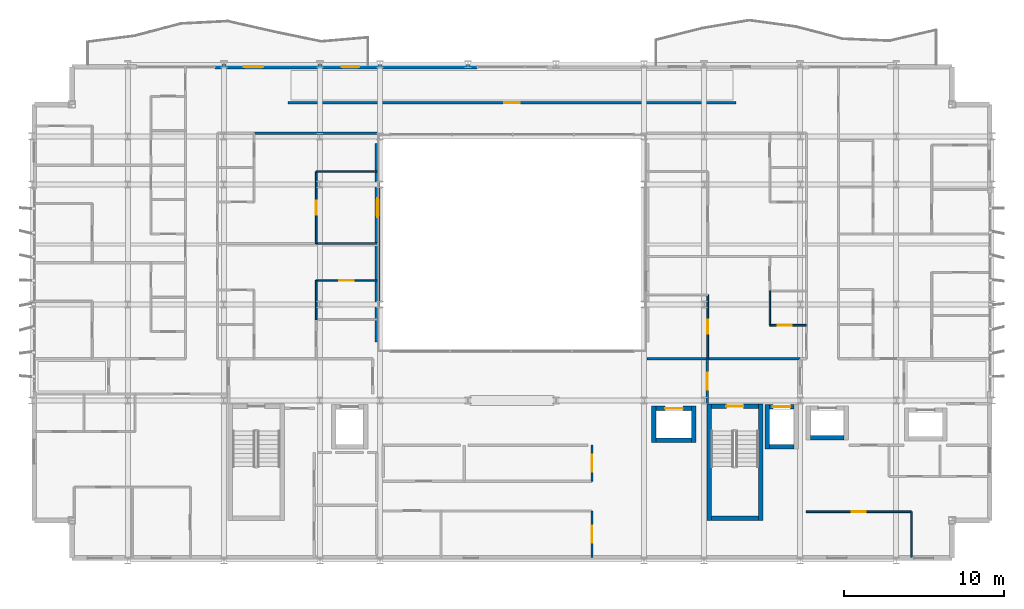
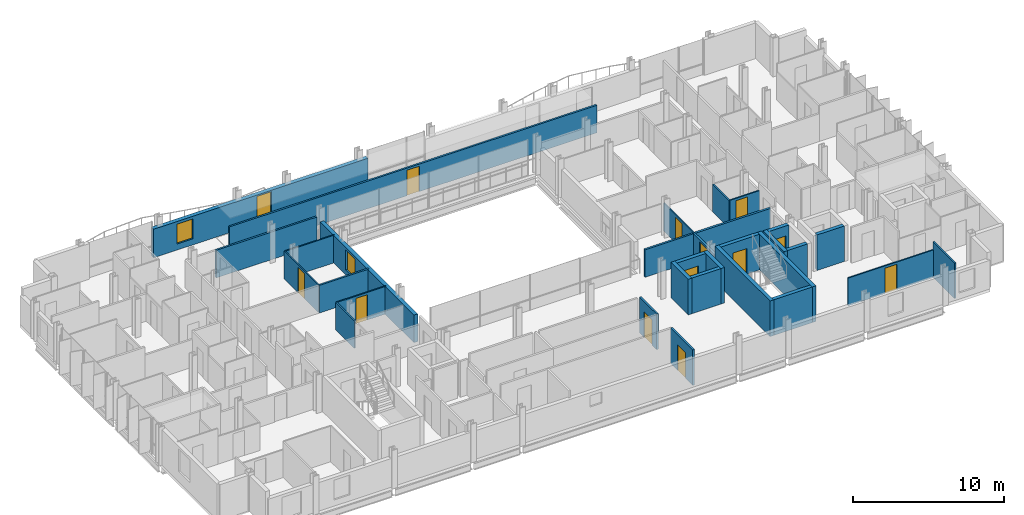
# One storey, part 30 of 39: 31 walls, 13 doors, 2 windows, 15 openings.
"""IFC4 building model written with IfcOpenShell, lengths in metres."""

from ifc_helpers import new_model, si_unit, direction, frame, frame_2d, origin, place, context, subcontext, project, spatial, rectangle, extrude, material, layer, layer_set, type_object, element, fill, save


model = new_model("IFC4")

# Units and contexts
model_context = context("Model", 3, precision=1e-05, world=origin(), true_north=direction((0.0, 1.0)))
body_context = subcontext(model_context, "Body", "Model", "MODEL_VIEW")
ifc_project = project(units=[si_unit("LENGTHUNIT", "METRE"), si_unit("AREAUNIT", "SQUARE_METRE"), si_unit("VOLUMEUNIT", "CUBIC_METRE"), si_unit("PLANEANGLEUNIT", "RADIAN"), si_unit("MASSUNIT", "GRAM", prefix="KILO")], contexts=[model_context])

# Site, building, storey
site_placement = place(None, origin())
site = spatial("IfcSite", under=ifc_project, at=site_placement, CompositionType="ELEMENT")
building_placement = place(site_placement, origin())
building = spatial("IfcBuilding", under=site, at=building_placement, Name="Brevholm Reach", CompositionType="ELEMENT")
storey_placement = place(building_placement, frame((0.0, 0.0, 90.0)))
storey = spatial("IfcBuildingStorey", under=building, at=storey_placement, Name="L26", CompositionType="ELEMENT", Elevation=90.0)

# Walls
ifc_material_1 = material(Name="Concrete C50/60", Category="concrete")
ifc_layer_1 = layer(ifc_material_1, 0.280029296875)
ifc_layer_set_1 = layer_set([ifc_layer_1], Name="Concrete C50/60")
wall_type_1 = type_object("IfcWallType", Name="WAL-COR-280", PredefinedType="SHEAR", material=ifc_layer_set_1)
for number, where, z_axis, x_axis, name in (
    (1, (42.31005859375, 2.5, 0.0), (0.0, 0.0, 1.0), (0.0, 1.0, 0.0), "L26 Escape Stair ST-2 Core Wall W"),
    (2, (45.5400390625, 2.5, 0.0), (0.0, 0.0, 1.0), (0.0, 1.0, 0.0), "L26 Escape Stair ST-2 Core Wall E"),
):
    element("IfcWall", number, at=place(storey_placement, frame(where, z_axis=z_axis, x_axis=x_axis)), inside=storey, type_object=wall_type_1, Name=name, PredefinedType="SHEAR", context=body_context, shape_type="SweptSolid", body=[
        extrude(rectangle(XDim=7.280029296875, YDim=0.280029296875, at=frame_2d((3.64013671875, 0.0))), origin(), (0.0, 0.0, 1.0), 2.8701171875),
    ])
wall_1_placement = place(storey_placement, frame((42.449951171875, 2.639892578125, 0.0), z_axis=(0.0, 0.0, 1.0), x_axis=(1.0, 0.0, 0.0)))
element("IfcWall", 3, at=wall_1_placement, inside=storey, type_object=wall_type_1, Name="L26 Escape Stair ST-2 Core Wall S", PredefinedType="SHEAR", context=body_context, shape_type="SweptSolid", body=[
    extrude(rectangle(XDim=2.949951171875, YDim=0.280029296875, at=frame_2d((1.47509765625, 0.0))), origin(), (0.0, 0.0, 1.0), 2.8701171875),
])

# Wall, opening, door
wall_2_placement = place(storey_placement, frame((45.39990234375, 9.639892578125, 0.0), z_axis=(0.0, 0.0, 1.0), x_axis=(-1.0, 0.0, 0.0)))
wall_2 = element("IfcWall", 4, at=wall_2_placement, inside=storey, type_object=wall_type_1, Name="L26 Escape Stair ST-2 Core Wall N", PredefinedType="SHEAR", context=body_context, shape_type="SweptSolid", body=[
    extrude(rectangle(XDim=2.949951171875, YDim=0.280029296875, at=frame_2d((1.47509765625, 0.0))), origin(), (0.0, 0.0, 1.0), 2.8701171875),
])
opening_1_placement = place(wall_2_placement, frame((0.949951171875, 0.0, 0.0)))
opening_1 = element("IfcOpeningElement", 5, at=opening_1_placement, cuts=wall_2, Name="Opening SD-ST-2", PredefinedType="OPENING", context=body_context, shape_type="SweptSolid", body=[
    extrude(rectangle(XDim=1.050048828125, YDim=2.06005859375, at=frame_2d((0.52490234375, 1.030029296875))), frame((0.0, 0.14990234375, 0.0), z_axis=(0.0, -1.0, 0.0), x_axis=(1.0, 0.0, 0.0)), (0.0, 0.0, 1.0), 0.300048828125),
])
ifc_material_2 = material(Name="Hardwood-Lipped Steel-Core Fire and Smoke Door", Category="steel")
door_type_1 = type_object("IfcDoorType", Name="DOR-INT-FD60S", OperationType="NOTDEFINED", PredefinedType="DOOR", material=ifc_material_2)
door_1_placement = place(opening_1_placement, origin())
door_1 = element("IfcDoor", 6, at=door_1_placement, inside=storey, type_object=door_type_1, Name="L26 Protected Stair ST-2 Lobby Door", OperationType="SINGLE_SWING_LEFT", OverallHeight=2.06005859375, OverallWidth=1.050048828125, PredefinedType="DOOR", context=body_context, shape_type="SweptSolid", body=[
    extrude(rectangle(XDim=1.050048828125, YDim=2.06005859375, at=frame_2d((0.52490234375, 1.030029296875))), frame((0.0, 0.02490234375, 0.0), z_axis=(0.0, -1.0, 0.0), x_axis=(1.0, 0.0, 0.0)), (0.0, 0.0, 1.0), 0.050048828125),
])
fill(opening_1, door_1)

# Walls
wall_3_placement = place(storey_placement, frame((45.949951171875, 6.9599609375, 0.0), z_axis=(0.0, 0.0, 1.0), x_axis=(0.0, 1.0, 0.0)))
element("IfcWall", 7, at=wall_3_placement, inside=storey, type_object=wall_type_1, Name="L26 Lift FFL-2 Shaft Wall W", PredefinedType="SHEAR", context=body_context, shape_type="SweptSolid", body=[
    extrude(rectangle(XDim=2.780029296875, YDim=0.280029296875, at=frame_2d((1.39013671875, 0.0))), origin(), (0.0, 0.0, 1.0), 2.8701171875),
])
wall_4_placement = place(storey_placement, frame((46.090087890625, 7.10009765625, 0.0), z_axis=(0.0, 0.0, 1.0), x_axis=(1.0, 0.0, 0.0)))
element("IfcWall", 8, at=wall_4_placement, inside=storey, type_object=wall_type_1, Name="L26 Lift FFL-2 Shaft Wall S", PredefinedType="SHEAR", context=body_context, shape_type="SweptSolid", body=[
    extrude(rectangle(XDim=1.52001953125, YDim=0.280029296875, at=frame_2d((0.760009765625, 0.0))), origin(), (0.0, 0.0, 1.0), 2.8701171875),
])

# Wall, opening, door
wall_5_placement = place(storey_placement, frame((46.090087890625, 9.60009765625, 0.0), z_axis=(0.0, 0.0, 1.0), x_axis=(1.0, 0.0, 0.0)))
wall_5 = element("IfcWall", 9, at=wall_5_placement, inside=storey, type_object=wall_type_1, Name="L26 Lift FFL-2 Shaft Wall N", PredefinedType="SHEAR", context=body_context, shape_type="SweptSolid", body=[
    extrude(rectangle(XDim=1.52001953125, YDim=0.280029296875, at=frame_2d((0.760009765625, 0.0))), origin(), (0.0, 0.0, 1.0), 2.8701171875),
])
opening_2_placement = place(wall_5_placement, frame((0.2099609375, 0.0, 0.0)))
opening_2 = element("IfcOpeningElement", 10, at=opening_2_placement, cuts=wall_5, Name="Opening LD-FFL-2", PredefinedType="OPENING", context=body_context, shape_type="SweptSolid", body=[
    extrude(rectangle(XDim=1.10009765625, YDim=2.06005859375, at=frame_2d((0.550048828125, 1.030029296875))), frame((0.0, 0.14990234375, 0.0), z_axis=(0.0, -1.0, 0.0), x_axis=(1.0, 0.0, 0.0)), (0.0, 0.0, 1.0), 0.300048828125),
])
ifc_material_3 = material(Name="Brushed Stainless Steel Fire-Rated Sliding Lift Door", Category="steel")
door_type_2 = type_object("IfcDoorType", Name="DOR-LFT-1100", OperationType="NOTDEFINED", PredefinedType="DOOR", material=ifc_material_3)
door_2_placement = place(opening_2_placement, origin())
door_2 = element("IfcDoor", 11, at=door_2_placement, inside=storey, type_object=door_type_2, Name="L26 Lift FFL-2 Sliding Landing Door", OperationType="SLIDING_TO_LEFT", OverallHeight=2.06005859375, OverallWidth=1.10009765625, PredefinedType="DOOR", context=body_context, shape_type="SweptSolid", body=[
    extrude(rectangle(XDim=1.10009765625, YDim=2.06005859375, at=frame_2d((0.550048828125, 1.030029296875))), frame((0.0, 0.02490234375, 0.0), z_axis=(0.0, -1.0, 0.0), x_axis=(1.0, 0.0, 0.0)), (0.0, 0.0, 1.0), 0.050048828125),
])
fill(opening_2, door_2)

# Walls
wall_6_placement = place(storey_placement, frame((48.6650390625, 7.675048828125, 0.0), z_axis=(0.0, 0.0, 1.0), x_axis=(1.0, 0.0, 0.0)))
element("IfcWall", 12, at=wall_6_placement, inside=storey, type_object=wall_type_1, Name="L26 Lift PL-L1 Shaft Wall S", PredefinedType="SHEAR", context=body_context, shape_type="SweptSolid", body=[
    extrude(rectangle(XDim=2.070068359375, YDim=0.280029296875, at=frame_2d((1.03515625, 0.0))), origin(), (0.0, 0.0, 1.0), 2.8701171875),
])
for number, where, z_axis, x_axis, name in (
    (13, (38.8701171875, 7.360107421875, 0.0), (0.0, 0.0, 1.0), (0.0, 1.0, 0.0), "L26 Lift PL-S1 Shaft Wall W"),
    (14, (41.3701171875, 7.360107421875, 0.0), (0.0, 0.0, 1.0), (0.0, 1.0, 0.0), "L26 Lift PL-S1 Shaft Wall E"),
):
    element("IfcWall", number, at=place(storey_placement, frame(where, z_axis=z_axis, x_axis=x_axis)), inside=storey, type_object=wall_type_1, Name=name, PredefinedType="SHEAR", context=body_context, shape_type="SweptSolid", body=[
        extrude(rectangle(XDim=2.27978515625, YDim=0.280029296875, at=frame_2d((1.139892578125, 0.0))), origin(), (0.0, 0.0, 1.0), 2.8701171875),
    ])
wall_7_placement = place(storey_placement, frame((39.010009765625, 7.5, 0.0), z_axis=(0.0, 0.0, 1.0), x_axis=(1.0, 0.0, 0.0)))
element("IfcWall", 15, at=wall_7_placement, inside=storey, type_object=wall_type_1, Name="L26 Lift PL-S1 Shaft Wall S", PredefinedType="SHEAR", context=body_context, shape_type="SweptSolid", body=[
    extrude(rectangle(XDim=2.219970703125, YDim=0.280029296875, at=frame_2d((1.10986328125, 0.0))), origin(), (0.0, 0.0, 1.0), 2.8701171875),
])

# Wall, opening, door
wall_8_placement = place(storey_placement, frame((39.010009765625, 9.5, 0.0), z_axis=(0.0, 0.0, 1.0), x_axis=(1.0, 0.0, 0.0)))
wall_8 = element("IfcWall", 16, at=wall_8_placement, inside=storey, type_object=wall_type_1, Name="L26 Lift PL-S1 Shaft Wall N", PredefinedType="SHEAR", context=body_context, shape_type="SweptSolid", body=[
    extrude(rectangle(XDim=2.219970703125, YDim=0.280029296875, at=frame_2d((1.10986328125, 0.0))), origin(), (0.0, 0.0, 1.0), 2.8701171875),
])
opening_3_placement = place(wall_8_placement, frame((0.56005859375, 0.0, 0.0)))
opening_3 = element("IfcOpeningElement", 17, at=opening_3_placement, cuts=wall_8, Name="Opening LD-PL-S1", PredefinedType="OPENING", context=body_context, shape_type="SweptSolid", body=[
    extrude(rectangle(XDim=1.10009765625, YDim=2.06005859375, at=frame_2d((0.550048828125, 1.030029296875))), frame((0.0, 0.14990234375, 0.0), z_axis=(0.0, -1.0, 0.0), x_axis=(1.0, 0.0, 0.0)), (0.0, 0.0, 1.0), 0.300048828125),
])
door_3_placement = place(opening_3_placement, origin())
door_3 = element("IfcDoor", 18, at=door_3_placement, inside=storey, type_object=door_type_2, Name="L26 Lift PL-S1 Sliding Landing Door", OperationType="SLIDING_TO_RIGHT", OverallHeight=2.06005859375, OverallWidth=1.10009765625, PredefinedType="DOOR", context=body_context, shape_type="SweptSolid", body=[
    extrude(rectangle(XDim=1.10009765625, YDim=2.06005859375, at=frame_2d((0.550048828125, 1.030029296875))), frame((0.0, 0.02490234375, 0.0), z_axis=(0.0, -1.0, 0.0), x_axis=(1.0, 0.0, 0.0)), (0.0, 0.0, 1.0), 0.050048828125),
])
fill(opening_3, door_3)

# Wall, openings, door, window
ifc_material_4 = material(Name="Concrete C40/50", Category="concrete")
ifc_layer_2 = layer(ifc_material_4, 0.300048828125)
ifc_layer_set_2 = layer_set([ifc_layer_2], Name="Concrete C40/50")
wall_type_2 = type_object("IfcWallType", Name="WAL-EXT-300", PredefinedType="STANDARD", material=ifc_layer_set_2)
wall_9_placement = place(storey_placement, frame((11.449951171875, 30.85009765625, 0.0), z_axis=(0.0, 0.0, 1.0), x_axis=(1.0, 0.0, 0.0)))
wall_9 = element("IfcWall", 19, at=wall_9_placement, inside=storey, type_object=wall_type_2, Name="L26 Facade Wall WAL-L26-NP-WL", PredefinedType="STANDARD", context=body_context, shape_type="SweptSolid", body=[
    extrude(rectangle(XDim=16.35009765625, YDim=0.300048828125, at=frame_2d((8.175048828125, 0.0))), origin(), (0.0, 0.0, 1.0), 2.305419921875),
])
opening_4_placement = place(wall_9_placement, frame((7.89794921875, 0.0, 0.0)))
opening_4 = element("IfcOpeningElement", 20, at=opening_4_placement, cuts=wall_9, Name="Opening BD-01", PredefinedType="OPENING", context=body_context, shape_type="SweptSolid", body=[
    extrude(rectangle(XDim=1.10009765625, YDim=2.199951171875, at=frame_2d((0.550048828125, 1.10009765625))), frame((0.0, 0.159912109375, 0.0), z_axis=(0.0, -1.0, 0.0), x_axis=(1.0, 0.0, 0.0)), (0.0, 0.0, 1.0), 0.320068359375),
])
opening_5_placement = place(wall_9_placement, frame((1.800048828125, 0.0, 0.485107421875)))
opening_5 = element("IfcOpeningElement", 21, at=opening_5_placement, cuts=wall_9, Name="Opening WN-08", PredefinedType="OPENING", context=body_context, shape_type="SweptSolid", body=[
    extrude(rectangle(XDim=1.199951171875, YDim=1.60009765625, at=frame_2d((0.60009765625, 0.800048828125))), frame((0.0, 0.159912109375, 0.0), z_axis=(0.0, -1.0, 0.0), x_axis=(1.0, 0.0, 0.0)), (0.0, 0.0, 1.0), 0.320068359375),
])
ifc_material_5 = material(Name="Dark Anodised Aluminium and Triple-Glazed Glass", Category="aluminium")
door_type_3 = type_object("IfcDoorType", Name="DOR-BALC-1100", OperationType="NOTDEFINED", PredefinedType="DOOR", material=ifc_material_5)
door_4_placement = place(opening_4_placement, origin())
door_4 = element("IfcDoor", 22, at=door_4_placement, inside=storey, type_object=door_type_3, Name="L26 Exterior Door DOR-L26-BL-NW", OperationType="SINGLE_SWING_RIGHT", OverallHeight=2.199951171875, OverallWidth=1.10009765625, PredefinedType="DOOR", context=body_context, shape_type="SweptSolid", body=[
    extrude(rectangle(XDim=1.10009765625, YDim=2.199951171875, at=frame_2d((0.550048828125, 1.10009765625))), frame((0.0, 0.02490234375, 0.0), z_axis=(0.0, -1.0, 0.0), x_axis=(1.0, 0.0, 0.0)), (0.0, 0.0, 1.0), 0.050048828125),
])
fill(opening_4, door_4)
ifc_material_6 = material(Name="Dark Anodised Aluminium and Solar-Control IGU Glass", Category="aluminium")
window_type = type_object("IfcWindowType", Name="WIN-RES-1200", PartitioningType="SINGLE_PANEL", PredefinedType="WINDOW", material=ifc_material_6)
window_1_placement = place(opening_5_placement, origin())
window_1 = element("IfcWindow", 23, at=window_1_placement, inside=storey, type_object=window_type, Name="L26 Window WIN-L26-NP-WL1", OverallHeight=1.60009765625, OverallWidth=1.199951171875, PartitioningType="SINGLE_PANEL", PredefinedType="WINDOW", context=body_context, shape_type="SweptSolid", body=[
    extrude(rectangle(XDim=1.199951171875, YDim=1.60009765625, at=frame_2d((0.60009765625, 0.800048828125))), frame((0.0, 0.030029296875, 0.0), z_axis=(0.0, -1.0, 0.0), x_axis=(1.0, 0.0, 0.0)), (0.0, 0.0, 1.0), 0.06005859375),
])
fill(opening_5, window_1)

# Wall, opening, window
wall_10_placement = place(storey_placement, frame((21.60009765625, 26.050048828125, 0.0), z_axis=(0.0, 0.0, 1.0), x_axis=(0.0, -1.0, 0.0)))
wall_10 = element("IfcWall", 24, at=wall_10_placement, inside=storey, type_object=wall_type_2, Name="L26 Facade Wall WAL-L26-AT-W", PredefinedType="STANDARD", context=body_context, shape_type="SweptSolid", body=[
    extrude(rectangle(XDim=12.400146484375, YDim=0.300048828125, at=frame_2d((6.2001953125, 0.0))), origin(), (0.0, 0.0, 1.0), 2.224853515625),
])
opening_6_placement = place(wall_10_placement, frame((3.39990234375, 0.0, 0.405029296875)))
opening_6 = element("IfcOpeningElement", 25, at=opening_6_placement, cuts=wall_10, Name="Opening WN-08", PredefinedType="OPENING", context=body_context, shape_type="SweptSolid", body=[
    extrude(rectangle(XDim=1.199951171875, YDim=1.60009765625, at=frame_2d((0.60009765625, 0.800048828125))), frame((0.0, 0.159912109375, 0.0), z_axis=(0.0, -1.0, 0.0), x_axis=(1.0, 0.0, 0.0)), (0.0, 0.0, 1.0), 0.320068359375),
])
window_2_placement = place(opening_6_placement, origin())
window_2 = element("IfcWindow", 26, at=window_2_placement, inside=storey, type_object=window_type, Name="L26 Window WIN-L26-AT-W1", OverallHeight=1.60009765625, OverallWidth=1.199951171875, PartitioningType="SINGLE_PANEL", PredefinedType="WINDOW", context=body_context, shape_type="SweptSolid", body=[
    extrude(rectangle(XDim=1.199951171875, YDim=1.60009765625, at=frame_2d((0.60009765625, 0.800048828125))), frame((0.0, 0.030029296875, 0.0), z_axis=(0.0, -1.0, 0.0), x_axis=(1.0, 0.0, 0.0)), (0.0, 0.0, 1.0), 0.06005859375),
])
fill(opening_6, window_2)

# Wall
ifc_material_7 = material(Name="Moisture-Resistant Acoustic Gypsum Stud Partition 100 mm", Category="gypsum")
ifc_layer_3 = layer(ifc_material_7, 0.10009765625)
ifc_layer_set_3 = layer_set([ifc_layer_3], Name="Moisture-Resistant Acoustic Gypsum Stud Partition 100 mm")
wall_type_3 = type_object("IfcWallType", Name="WAL-PRT-100", PredefinedType="PARTITIONING", material=ifc_layer_set_3)
wall_11_placement = place(storey_placement, frame((54.949951171875, 0.199951171875, 0.0), z_axis=(0.0, 0.0, 1.0), x_axis=(0.0, 1.0, 0.0)))
element("IfcWall", 27, at=wall_11_placement, inside=storey, type_object=wall_type_3, Name="L26 Internal Partition 088", PredefinedType="PARTITIONING", context=body_context, shape_type="SweptSolid", body=[
    extrude(rectangle(XDim=2.85009765625, YDim=0.10009765625, at=frame_2d((1.425048828125, 0.0))), origin(), (0.0, 0.0, 1.0), 2.8701171875),
])

# Wall, opening, door
wall_12_placement = place(storey_placement, frame((48.39990234375, 3.050048828125, 0.0), z_axis=(0.0, 0.0, 1.0), x_axis=(1.0, 0.0, 0.0)))
wall_12 = element("IfcWall", 28, at=wall_12_placement, inside=storey, type_object=wall_type_3, Name="L26 Internal Partition 089", PredefinedType="PARTITIONING", context=body_context, shape_type="SweptSolid", body=[
    extrude(rectangle(XDim=6.550048828125, YDim=0.10009765625, at=frame_2d((3.27490234375, 0.0))), origin(), (0.0, 0.0, 1.0), 2.224853515625),
])
opening_7_placement = place(wall_12_placement, frame((2.8349609375, 0.0, 0.0)))
opening_7 = element("IfcOpeningElement", 29, at=opening_7_placement, cuts=wall_12, Name="Opening ID-01", PredefinedType="OPENING", context=body_context, shape_type="SweptSolid", body=[
    extrude(rectangle(XDim=0.8798828125, YDim=2.0400390625, at=frame_2d((0.43994140625, 1.02001953125))), frame((0.0, 0.06005859375, 0.0), z_axis=(0.0, -1.0, 0.0), x_axis=(1.0, 0.0, 0.0)), (0.0, 0.0, 1.0), 0.1201171875),
])
ifc_material_8 = material(Name="Lacquered Ash Solid-Core Acoustic Internal Door", Category="timber")
door_type_4 = type_object("IfcDoorType", Name="DOR-INT-880", OperationType="NOTDEFINED", PredefinedType="DOOR", material=ifc_material_8)
door_5_placement = place(opening_7_placement, origin())
door_5 = element("IfcDoor", 30, at=door_5_placement, inside=storey, type_object=door_type_4, Name="L26 Internal Door 032", OperationType="SINGLE_SWING_RIGHT", OverallHeight=2.0400390625, OverallWidth=0.8798828125, PredefinedType="DOOR", context=body_context, shape_type="SweptSolid", body=[
    extrude(rectangle(XDim=0.8798828125, YDim=2.0400390625, at=frame_2d((0.43994140625, 1.02001953125))), frame((0.0, 0.02490234375, 0.0), z_axis=(0.0, -1.0, 0.0), x_axis=(1.0, 0.0, 0.0)), (0.0, 0.0, 1.0), 0.050048828125),
])
fill(opening_7, door_5)

wall_13_placement = place(storey_placement, frame((17.76904296875, 17.5, 0.0), z_axis=(0.0, 0.0, 1.0), x_axis=(1.0, 0.0, 0.0)))
wall_13 = element("IfcWall", 31, at=wall_13_placement, inside=storey, type_object=wall_type_3, Name="L26 Internal Partition 120", PredefinedType="PARTITIONING", context=body_context, shape_type="SweptSolid", body=[
    extrude(rectangle(XDim=3.781005859375, YDim=0.10009765625, at=frame_2d((1.890625, 0.0))), origin(), (0.0, 0.0, 1.0), 2.224853515625),
])
opening_8_placement = place(wall_13_placement, frame((1.450439453125, 0.0, 0.0)))
opening_8 = element("IfcOpeningElement", 32, at=opening_8_placement, cuts=wall_13, Name="Opening ID-01", PredefinedType="OPENING", context=body_context, shape_type="SweptSolid", body=[
    extrude(rectangle(XDim=0.8798828125, YDim=2.0400390625, at=frame_2d((0.43994140625, 1.02001953125))), frame((0.0, 0.06005859375, 0.0), z_axis=(0.0, -1.0, 0.0), x_axis=(1.0, 0.0, 0.0)), (0.0, 0.0, 1.0), 0.1201171875),
])
door_6_placement = place(opening_8_placement, origin())
door_6 = element("IfcDoor", 33, at=door_6_placement, inside=storey, type_object=door_type_4, Name="L26 Internal Door 045", OperationType="SINGLE_SWING_LEFT", OverallHeight=2.0400390625, OverallWidth=0.8798828125, PredefinedType="DOOR", context=body_context, shape_type="SweptSolid", body=[
    extrude(rectangle(XDim=0.8798828125, YDim=2.0400390625, at=frame_2d((0.43994140625, 1.02001953125))), frame((0.0, 0.02490234375, 0.0), z_axis=(0.0, -1.0, 0.0), x_axis=(1.0, 0.0, 0.0)), (0.0, 0.0, 1.0), 0.050048828125),
])
fill(opening_8, door_6)

# Walls
wall_14_placement = place(storey_placement, frame((17.76904296875, 15.053955078125, 0.0), z_axis=(0.0, 0.0, 1.0), x_axis=(0.0, 1.0, 0.0)))
element("IfcWall", 34, at=wall_14_placement, inside=storey, type_object=wall_type_3, Name="L26 Internal Partition 121", PredefinedType="PARTITIONING", context=body_context, shape_type="SweptSolid", body=[
    extrude(rectangle(XDim=2.446044921875, YDim=0.10009765625, at=frame_2d((1.22314453125, 0.0))), origin(), (0.0, 0.0, 1.0), 2.224853515625),
])
wall_15_placement = place(storey_placement, frame((17.76904296875, 24.300048828125, 0.0), z_axis=(0.0, 0.0, 1.0), x_axis=(1.0, 0.0, 0.0)))
element("IfcWall", 35, at=wall_15_placement, inside=storey, type_object=wall_type_3, Name="L26 Internal Partition 128", PredefinedType="PARTITIONING", context=body_context, shape_type="SweptSolid", body=[
    extrude(rectangle(XDim=3.781005859375, YDim=0.10009765625, at=frame_2d((1.890625, 0.0))), origin(), (0.0, 0.0, 1.0), 2.224853515625),
])

# Wall, opening, door
wall_16_placement = place(storey_placement, frame((17.76904296875, 19.803955078125, 0.0), z_axis=(0.0, 0.0, 1.0), x_axis=(0.0, 1.0, 0.0)))
wall_16 = element("IfcWall", 36, at=wall_16_placement, inside=storey, type_object=wall_type_3, Name="L26 Internal Partition 129", PredefinedType="PARTITIONING", context=body_context, shape_type="SweptSolid", body=[
    extrude(rectangle(XDim=4.49609375, YDim=0.10009765625, at=frame_2d((2.248046875, 0.0))), origin(), (0.0, 0.0, 1.0), 2.224853515625),
])
opening_9_placement = place(wall_16_placement, frame((1.80810546875, 0.0, 0.0)))
opening_9 = element("IfcOpeningElement", 37, at=opening_9_placement, cuts=wall_16, Name="Opening ID-01", PredefinedType="OPENING", context=body_context, shape_type="SweptSolid", body=[
    extrude(rectangle(XDim=0.8798828125, YDim=2.0400390625, at=frame_2d((0.43994140625, 1.02001953125))), frame((0.0, 0.06005859375, 0.0), z_axis=(0.0, -1.0, 0.0), x_axis=(1.0, 0.0, 0.0)), (0.0, 0.0, 1.0), 0.1201171875),
])
door_7_placement = place(opening_9_placement, origin())
door_7 = element("IfcDoor", 38, at=door_7_placement, inside=storey, type_object=door_type_4, Name="L26 Internal Door 048", OperationType="SINGLE_SWING_RIGHT", OverallHeight=2.0400390625, OverallWidth=0.8798828125, PredefinedType="DOOR", context=body_context, shape_type="SweptSolid", body=[
    extrude(rectangle(XDim=0.8798828125, YDim=2.0400390625, at=frame_2d((0.43994140625, 1.02001953125))), frame((0.0, 0.02490234375, 0.0), z_axis=(0.0, -1.0, 0.0), x_axis=(1.0, 0.0, 0.0)), (0.0, 0.0, 1.0), 0.050048828125),
])
fill(opening_9, door_7)

wall_17_placement = place(storey_placement, frame((46.112060546875, 14.699951171875, 0.0), z_axis=(0.0, 0.0, 1.0), x_axis=(1.0, 0.0, 0.0)))
wall_17 = element("IfcWall", 39, at=wall_17_placement, inside=storey, type_object=wall_type_3, Name="L26 Internal Partition 133", PredefinedType="PARTITIONING", context=body_context, shape_type="SweptSolid", body=[
    extrude(rectangle(XDim=2.283935546875, YDim=0.10009765625, at=frame_2d((1.14208984375, 0.0))), origin(), (0.0, 0.0, 1.0), 2.224853515625),
])
opening_10_placement = place(wall_17_placement, frame((0.48193359375, 0.0, 0.0)))
opening_10 = element("IfcOpeningElement", 40, at=opening_10_placement, cuts=wall_17, Name="Opening ID-01", PredefinedType="OPENING", context=body_context, shape_type="SweptSolid", body=[
    extrude(rectangle(XDim=0.8798828125, YDim=2.0400390625, at=frame_2d((0.43994140625, 1.02001953125))), frame((0.0, 0.06005859375, 0.0), z_axis=(0.0, -1.0, 0.0), x_axis=(1.0, 0.0, 0.0)), (0.0, 0.0, 1.0), 0.1201171875),
])
door_8_placement = place(opening_10_placement, origin())
door_8 = element("IfcDoor", 41, at=door_8_placement, inside=storey, type_object=door_type_4, Name="L26 Internal Door 050", OperationType="SINGLE_SWING_RIGHT", OverallHeight=2.0400390625, OverallWidth=0.8798828125, PredefinedType="DOOR", context=body_context, shape_type="SweptSolid", body=[
    extrude(rectangle(XDim=0.8798828125, YDim=2.0400390625, at=frame_2d((0.43994140625, 1.02001953125))), frame((0.0, 0.02490234375, 0.0), z_axis=(0.0, -1.0, 0.0), x_axis=(1.0, 0.0, 0.0)), (0.0, 0.0, 1.0), 0.050048828125),
])
fill(opening_10, door_8)

# Wall
wall_18_placement = place(storey_placement, frame((46.112060546875, 14.699951171875, 0.0), z_axis=(0.0, 0.0, 1.0), x_axis=(0.0, 1.0, 0.0)))
element("IfcWall", 42, at=wall_18_placement, inside=storey, type_object=wall_type_3, Name="L26 Internal Partition 134", PredefinedType="PARTITIONING", context=body_context, shape_type="SweptSolid", body=[
    extrude(rectangle(XDim=2.14599609375, YDim=0.10009765625, at=frame_2d((1.072998046875, 0.0))), origin(), (0.0, 0.0, 1.0), 2.224853515625),
])

# Wall, opening, door
wall_19_placement = place(storey_placement, frame((42.23095703125, 12.60400390625, 0.0), z_axis=(0.0, 0.0, 1.0), x_axis=(0.0, 1.0, 0.0)))
wall_19 = element("IfcWall", 43, at=wall_19_placement, inside=storey, type_object=wall_type_3, Name="L26 Internal Partition 135", PredefinedType="PARTITIONING", context=body_context, shape_type="SweptSolid", body=[
    extrude(rectangle(XDim=3.99609375, YDim=0.10009765625, at=frame_2d((1.998046875, 0.0))), origin(), (0.0, 0.0, 1.0), 2.224853515625),
])
opening_11_placement = place(wall_19_placement, frame((1.55810546875, 0.0, 0.0)))
opening_11 = element("IfcOpeningElement", 44, at=opening_11_placement, cuts=wall_19, Name="Opening ID-01", PredefinedType="OPENING", context=body_context, shape_type="SweptSolid", body=[
    extrude(rectangle(XDim=0.8798828125, YDim=2.0400390625, at=frame_2d((0.43994140625, 1.02001953125))), frame((0.0, 0.06005859375, 0.0), z_axis=(0.0, -1.0, 0.0), x_axis=(1.0, 0.0, 0.0)), (0.0, 0.0, 1.0), 0.1201171875),
])
door_9_placement = place(opening_11_placement, origin())
door_9 = element("IfcDoor", 45, at=door_9_placement, inside=storey, type_object=door_type_4, Name="L26 Internal Door 051", OperationType="SINGLE_SWING_LEFT", OverallHeight=2.0400390625, OverallWidth=0.8798828125, PredefinedType="DOOR", context=body_context, shape_type="SweptSolid", body=[
    extrude(rectangle(XDim=0.8798828125, YDim=2.0400390625, at=frame_2d((0.43994140625, 1.02001953125))), frame((0.0, 0.02490234375, 0.0), z_axis=(0.0, -1.0, 0.0), x_axis=(1.0, 0.0, 0.0)), (0.0, 0.0, 1.0), 0.050048828125),
])
fill(opening_11, door_9)

ifc_material_9 = material(Name="Twin-Stud Acoustic Fire-Rated Gypsum Partition 140 mm", Category="gypsum")
ifc_layer_4 = layer(ifc_material_9, 0.139892578125)
ifc_layer_set_4 = layer_set([ifc_layer_4], Name="Twin-Stud Acoustic Fire-Rated Gypsum Partition 140 mm")
wall_type_4 = type_object("IfcWallType", Name="WAL-PRT-140", PredefinedType="PARTITIONING", material=ifc_layer_set_4)
wall_20_placement = place(storey_placement, frame((35.0, 0.179931640625, 0.0), z_axis=(0.0, 0.0, 1.0), x_axis=(0.0, 1.0, 0.0)))
wall_20 = element("IfcWall", 46, at=wall_20_placement, inside=storey, type_object=wall_type_4, Name="L26 Internal Partition 001", PredefinedType="PARTITIONING", context=body_context, shape_type="SweptSolid", body=[
    extrude(rectangle(XDim=2.927490234375, YDim=0.139892578125, at=frame_2d((1.4638671875, 0.0))), origin(), (0.0, 0.0, 1.0), 2.8701171875),
])
opening_12_placement = place(wall_20_placement, frame((0.938720703125, 0.0, 0.0)))
opening_12 = element("IfcOpeningElement", 47, at=opening_12_placement, cuts=wall_20, Name="Opening FD-01", PredefinedType="OPENING", context=body_context, shape_type="SweptSolid", body=[
    extrude(rectangle(XDim=1.050048828125, YDim=2.06005859375, at=frame_2d((0.52490234375, 1.030029296875))), frame((0.0, 0.079833984375, 0.0), z_axis=(0.0, -1.0, 0.0), x_axis=(1.0, 0.0, 0.0)), (0.0, 0.0, 1.0), 0.159912109375),
])
door_10_placement = place(opening_12_placement, origin())
door_10 = element("IfcDoor", 48, at=door_10_placement, inside=storey, type_object=door_type_1, Name="L26 Internal Door 001", OperationType="SINGLE_SWING_LEFT", OverallHeight=2.06005859375, OverallWidth=1.050048828125, PredefinedType="DOOR", context=body_context, shape_type="SweptSolid", body=[
    extrude(rectangle(XDim=1.050048828125, YDim=2.06005859375, at=frame_2d((0.52490234375, 1.030029296875))), frame((0.0, 0.02490234375, 0.0), z_axis=(0.0, -1.0, 0.0), x_axis=(1.0, 0.0, 0.0)), (0.0, 0.0, 1.0), 0.050048828125),
])
fill(opening_12, door_10)

wall_21_placement = place(storey_placement, frame((35.0, 4.942626953125, 0.0), z_axis=(0.0, 0.0, 1.0), x_axis=(0.0, 1.0, 0.0)))
wall_21 = element("IfcWall", 49, at=wall_21_placement, inside=storey, type_object=wall_type_4, Name="L26 Internal Partition 002", PredefinedType="PARTITIONING", context=body_context, shape_type="SweptSolid", body=[
    extrude(rectangle(XDim=2.2685546875, YDim=0.139892578125, at=frame_2d((1.13427734375, 0.0))), origin(), (0.0, 0.0, 1.0), 2.8701171875),
])
opening_13_placement = place(wall_21_placement, frame((0.609375, 0.0, 0.0)))
opening_13 = element("IfcOpeningElement", 50, at=opening_13_placement, cuts=wall_21, Name="Opening FD-01", PredefinedType="OPENING", context=body_context, shape_type="SweptSolid", body=[
    extrude(rectangle(XDim=1.050048828125, YDim=2.06005859375, at=frame_2d((0.52490234375, 1.030029296875))), frame((0.0, 0.079833984375, 0.0), z_axis=(0.0, -1.0, 0.0), x_axis=(1.0, 0.0, 0.0)), (0.0, 0.0, 1.0), 0.159912109375),
])
door_11_placement = place(opening_13_placement, origin())
door_11 = element("IfcDoor", 51, at=door_11_placement, inside=storey, type_object=door_type_1, Name="L26 Internal Door 002", OperationType="SINGLE_SWING_RIGHT", OverallHeight=2.06005859375, OverallWidth=1.050048828125, PredefinedType="DOOR", context=body_context, shape_type="SweptSolid", body=[
    extrude(rectangle(XDim=1.050048828125, YDim=2.06005859375, at=frame_2d((0.52490234375, 1.030029296875))), frame((0.0, 0.02490234375, 0.0), z_axis=(0.0, -1.0, 0.0), x_axis=(1.0, 0.0, 0.0)), (0.0, 0.0, 1.0), 0.050048828125),
])
fill(opening_13, door_11)

# Walls
wall_22_placement = place(storey_placement, frame((38.438720703125, 12.60009765625, 0.0), z_axis=(0.0, 0.0, 1.0), x_axis=(1.0, 0.0, 0.0)))
element("IfcWall", 52, at=wall_22_placement, inside=storey, type_object=wall_type_4, Name="L26 Internal Partition 032", PredefinedType="PARTITIONING", context=body_context, shape_type="SweptSolid", body=[
    extrude(rectangle(XDim=3.75732421875, YDim=0.139892578125, at=frame_2d((1.878662109375, 0.0))), origin(), (0.0, 0.0, 1.0), 2.224853515625),
])
wall_23_placement = place(storey_placement, frame((13.881591796875, 26.699951171875, 0.0), z_axis=(0.0, 0.0, 1.0), x_axis=(1.0, 0.0, 0.0)))
element("IfcWall", 53, at=wall_23_placement, inside=storey, type_object=wall_type_4, Name="L26 Internal Partition 063", PredefinedType="PARTITIONING", context=body_context, shape_type="SweptSolid", body=[
    extrude(rectangle(XDim=7.6796875, YDim=0.139892578125, at=frame_2d((3.83984375, 0.0))), origin(), (0.0, 0.0, 1.0), 2.224853515625),
])

# Wall, opening, door
wall_24_placement = place(storey_placement, frame((15.98876953125, 28.60009765625, 0.0), z_axis=(0.0, 0.0, 1.0), x_axis=(1.0, 0.0, 0.0)))
wall_24 = element("IfcWall", 54, at=wall_24_placement, inside=storey, type_object=wall_type_4, Name="L26 Internal Partition 066", PredefinedType="PARTITIONING", context=body_context, shape_type="SweptSolid", body=[
    extrude(rectangle(XDim=28.0224609375, YDim=0.139892578125, at=frame_2d((14.01123046875, 0.0))), origin(), (0.0, 0.0, 1.0), 2.224853515625),
])
opening_14_placement = place(wall_24_placement, frame((13.536376953125, 0.0, 0.0)))
opening_14 = element("IfcOpeningElement", 55, at=opening_14_placement, cuts=wall_24, Name="Opening ID-30", PredefinedType="OPENING", context=body_context, shape_type="SweptSolid", body=[
    extrude(rectangle(XDim=0.949951171875, YDim=2.050048828125, at=frame_2d((0.47509765625, 1.02490234375))), frame((0.0, 0.079833984375, 0.0), z_axis=(0.0, -1.0, 0.0), x_axis=(1.0, 0.0, 0.0)), (0.0, 0.0, 1.0), 0.159912109375),
])
ifc_material_10 = material(Name="European Oak Veneered Solid-Core Fire Entrance Door", Category="timber")
door_type_5 = type_object("IfcDoorType", Name="DOR-FLT-FD30S", OperationType="NOTDEFINED", PredefinedType="DOOR", material=ifc_material_10)
door_12_placement = place(opening_14_placement, origin())
door_12 = element("IfcDoor", 56, at=door_12_placement, inside=storey, type_object=door_type_5, Name="L26 Internal Door 025", OperationType="SINGLE_SWING_LEFT", OverallHeight=2.050048828125, OverallWidth=0.949951171875, PredefinedType="DOOR", context=body_context, shape_type="SweptSolid", body=[
    extrude(rectangle(XDim=0.949951171875, YDim=2.050048828125, at=frame_2d((0.47509765625, 1.02490234375))), frame((0.0, 0.02490234375, 0.0), z_axis=(0.0, -1.0, 0.0), x_axis=(1.0, 0.0, 0.0)), (0.0, 0.0, 1.0), 0.050048828125),
])
fill(opening_14, door_12)

# Wall
wall_25_placement = place(storey_placement, frame((17.7578125, 19.800048828125, 0.0), z_axis=(0.0, 0.0, 1.0), x_axis=(1.0, 0.0, 0.0)))
element("IfcWall", 57, at=wall_25_placement, inside=storey, type_object=wall_type_4, Name="L26 Internal Partition 122", PredefinedType="PARTITIONING", context=body_context, shape_type="SweptSolid", body=[
    extrude(rectangle(XDim=3.792236328125, YDim=0.139892578125, at=frame_2d((1.89599609375, 0.0))), origin(), (0.0, 0.0, 1.0), 2.224853515625),
])

# Wall, opening, door
ifc_material_11 = material(Name="Twin-Frame Fire-Rated Gypsum Board and Mineral Wool 160 mm", Category="gypsum")
ifc_layer_5 = layer(ifc_material_11, 0.159912109375)
ifc_layer_set_5 = layer_set([ifc_layer_5], Name="Twin-Frame Fire-Rated Gypsum Board and Mineral Wool 160 mm")
wall_type_5 = type_object("IfcWallType", Name="WAL-PRT-160", PredefinedType="PARTITIONING", material=ifc_layer_set_5)
wall_26_placement = place(storey_placement, frame((42.199951171875, 9.7900390625, 0.0), z_axis=(0.0, 0.0, 1.0), x_axis=(0.0, 1.0, 0.0)))
wall_26 = element("IfcWall", 58, at=wall_26_placement, inside=storey, type_object=wall_type_5, Name="L26 Internal Partition 024", PredefinedType="PARTITIONING", context=body_context, shape_type="SweptSolid", body=[
    extrude(rectangle(XDim=2.81005859375, YDim=0.159912109375, at=frame_2d((1.405029296875, 0.0))), origin(), (0.0, 0.0, 1.0), 2.224853515625),
])
opening_15_placement = place(wall_26_placement, frame((0.8798828125, 0.0, 0.0)))
opening_15 = element("IfcOpeningElement", 59, at=opening_15_placement, cuts=wall_26, Name="Opening FD-01", PredefinedType="OPENING", context=body_context, shape_type="SweptSolid", body=[
    extrude(rectangle(XDim=1.050048828125, YDim=2.06005859375, at=frame_2d((0.52490234375, 1.030029296875))), frame((0.0, 0.08984375, 0.0), z_axis=(0.0, -1.0, 0.0), x_axis=(1.0, 0.0, 0.0)), (0.0, 0.0, 1.0), 0.179931640625),
])
door_13_placement = place(opening_15_placement, origin())
door_13 = element("IfcDoor", 60, at=door_13_placement, inside=storey, type_object=door_type_1, Name="L26 Internal Door 013", OperationType="SINGLE_SWING_LEFT", OverallHeight=2.06005859375, OverallWidth=1.050048828125, PredefinedType="DOOR", context=body_context, shape_type="SweptSolid", body=[
    extrude(rectangle(XDim=1.050048828125, YDim=2.06005859375, at=frame_2d((0.52490234375, 1.030029296875))), frame((0.0, 0.02490234375, 0.0), z_axis=(0.0, -1.0, 0.0), x_axis=(1.0, 0.0, 0.0)), (0.0, 0.0, 1.0), 0.050048828125),
])
fill(opening_15, door_13)

# Wall
wall_27_placement = place(storey_placement, frame((42.2236328125, 12.60009765625, 0.0), z_axis=(0.0, 0.0, 1.0), x_axis=(1.0, 0.0, 0.0)))
element("IfcWall", 61, at=wall_27_placement, inside=storey, type_object=wall_type_5, Name="L26 Internal Partition 026", PredefinedType="PARTITIONING", context=body_context, shape_type="SweptSolid", body=[
    extrude(rectangle(XDim=5.7763671875, YDim=0.159912109375, at=frame_2d((2.88818359375, 0.0))), origin(), (0.0, 0.0, 1.0), 2.224853515625),
])

save(model, "model.ifc")
